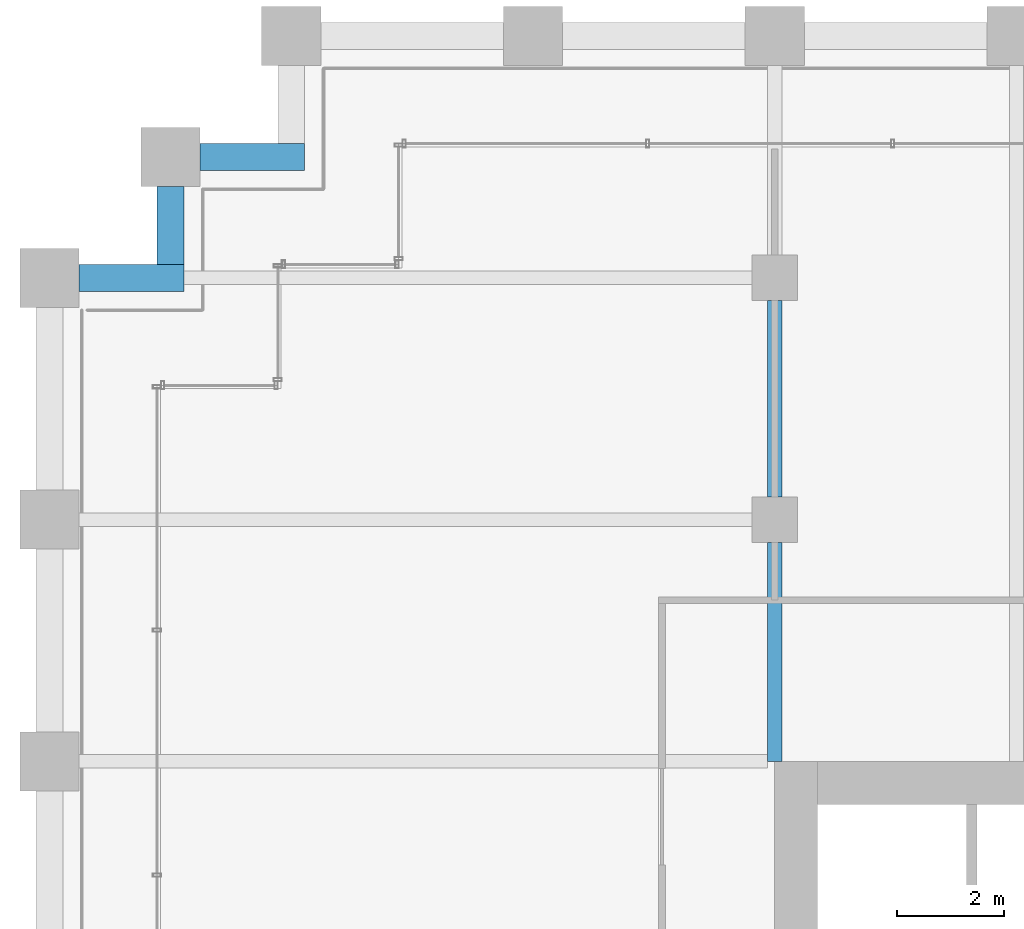
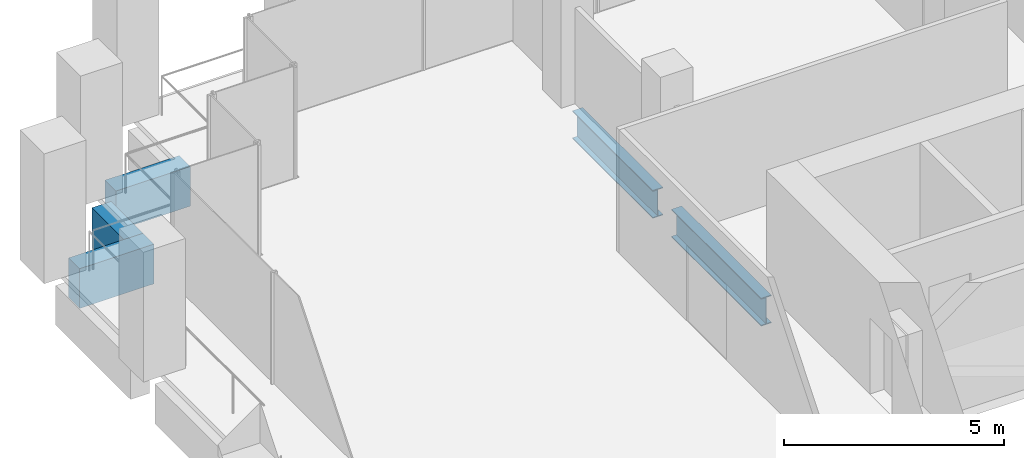
# One storey, part 25 of 54: 5 beams.
"""IFC4 building model written with IfcOpenShell, lengths in metres."""

from ifc_helpers import new_model, si_unit, direction, frame, origin, origin_2d, place, context, subcontext, project, spatial, rectangle, i_section, extrude, material, material_profile, profile_set, type_object, element, save


model = new_model("IFC4")

# Units and contexts
model_context = context("Model", 3, precision=1e-05, world=origin(), true_north=direction((0.0, 1.0)))
body_context = subcontext(model_context, "Body", "Model", "MODEL_VIEW")
ifc_project = project(units=[si_unit("LENGTHUNIT", "METRE"), si_unit("AREAUNIT", "SQUARE_METRE"), si_unit("VOLUMEUNIT", "CUBIC_METRE"), si_unit("PLANEANGLEUNIT", "RADIAN"), si_unit("MASSUNIT", "GRAM", prefix="KILO")], contexts=[model_context])

# Site, building, storey
site_placement = place(None, origin())
site = spatial("IfcSite", under=ifc_project, at=site_placement, CompositionType="ELEMENT")
building_placement = place(site_placement, origin())
building = spatial("IfcBuilding", under=site, at=building_placement, Name="Altepetl Exchange Towers", CompositionType="ELEMENT")
storey_placement = place(building_placement, frame((0.0, 0.0, 65.39990234375)))
storey = spatial("IfcBuildingStorey", under=building, at=storey_placement, Name="L15", CompositionType="ELEMENT", Elevation=65.39990234375)

# Beams
ifc_material_1 = material(Name="Steel S355", Category="steel")
ifc_material_profile_1 = material_profile(ifc_material_1, i_section(OverallWidth=0.26806640625, OverallDepth=0.77392578125, WebThickness=0.015380859375, FlangeThickness=0.025390625, at=origin_2d()), Name="W30X132")
ifc_profile_set_1 = profile_set([ifc_material_profile_1], Name="Steel S355")
beam_type_1 = type_object("IfcBeamType", Name="Girder W30X132", PredefinedType="BEAM", material=ifc_profile_set_1)
beam_1_placement = place(storey_placement, frame((40.5, 67.074951171875, -0.536865234375), z_axis=(0.0, -1.0, 0.0), x_axis=(1.0, 0.0, 0.0)))
element("IfcBeam", 1, at=beam_1_placement, inside=storey, type_object=beam_type_1, Name="gd:A:L15:004", PredefinedType="BEAM", context=body_context, shape_type="SweptSolid", body=[
    extrude(i_section(OverallWidth=0.26806640625, OverallDepth=0.77392578125, WebThickness=0.015380859375, FlangeThickness=0.025390625, at=origin_2d()), origin(), (0.0, 0.0, 1.0), 3.64990234375),
])
beam_2_placement = place(storey_placement, frame((40.5, 62.574951171875, -0.536865234375), z_axis=(0.0, -1.0, 0.0), x_axis=(1.0, 0.0, 0.0)))
element("IfcBeam", 2, at=beam_2_placement, inside=storey, type_object=beam_type_1, Name="gd:A:L15:005", PredefinedType="BEAM", context=body_context, shape_type="SweptSolid", body=[
    extrude(i_section(OverallWidth=0.26806640625, OverallDepth=0.77392578125, WebThickness=0.015380859375, FlangeThickness=0.025390625, at=origin_2d()), origin(), (0.0, 0.0, 1.0), 4.074951171875),
])
ifc_material_2 = material(Name="Concrete C50/60 precast with tezontle facing", Category="concrete")
ifc_material_profile_2 = material_profile(ifc_material_2, rectangle(XDim=0.5, YDim=1.10009765625, at=origin_2d()), Name="500 x 1100")
ifc_profile_set_2 = profile_set([ifc_material_profile_2], Name="Concrete C50/60 precast with tezontle facing")
beam_type_2 = type_object("IfcBeamType", Name="Spandrel beam 500x1100 tezontle", PredefinedType="SPANDREL", material=ifc_profile_set_2)
beam_3_placement = place(storey_placement, frame((31.75, 69.75, -0.699951171875), z_axis=(-1.0, 0.0, 0.0), x_axis=(0.0, -1.0, 0.0)))
element("IfcBeam", 3, at=beam_3_placement, inside=storey, type_object=beam_type_2, Name="sp:A:L15:033", PredefinedType="SPANDREL", context=body_context, shape_type="SweptSolid", body=[
    extrude(rectangle(XDim=0.5, YDim=1.10009765625, at=origin_2d()), origin(), (0.0, 0.0, 1.0), 1.949951171875),
])
beam_4_placement = place(storey_placement, frame((29.25, 69.199951171875, -0.699951171875), z_axis=(0.0, -1.0, 0.0), x_axis=(1.0, 0.0, 0.0)))
element("IfcBeam", 4, at=beam_4_placement, inside=storey, type_object=beam_type_2, Name="sp:A:L15:034", PredefinedType="SPANDREL", context=body_context, shape_type="SweptSolid", body=[
    extrude(rectangle(XDim=0.5, YDim=1.10009765625, at=origin_2d()), origin(), (0.0, 0.0, 1.0), 1.449951171875),
])
beam_5_placement = place(storey_placement, frame((29.5, 67.5, -0.699951171875), z_axis=(-1.0, 0.0, 0.0), x_axis=(0.0, -1.0, 0.0)))
element("IfcBeam", 5, at=beam_5_placement, inside=storey, type_object=beam_type_2, Name="sp:A:L15:035", PredefinedType="SPANDREL", context=body_context, shape_type="SweptSolid", body=[
    extrude(rectangle(XDim=0.5, YDim=1.10009765625, at=origin_2d()), origin(), (0.0, 0.0, 1.0), 1.949951171875),
])

save(model, "model.ifc")
